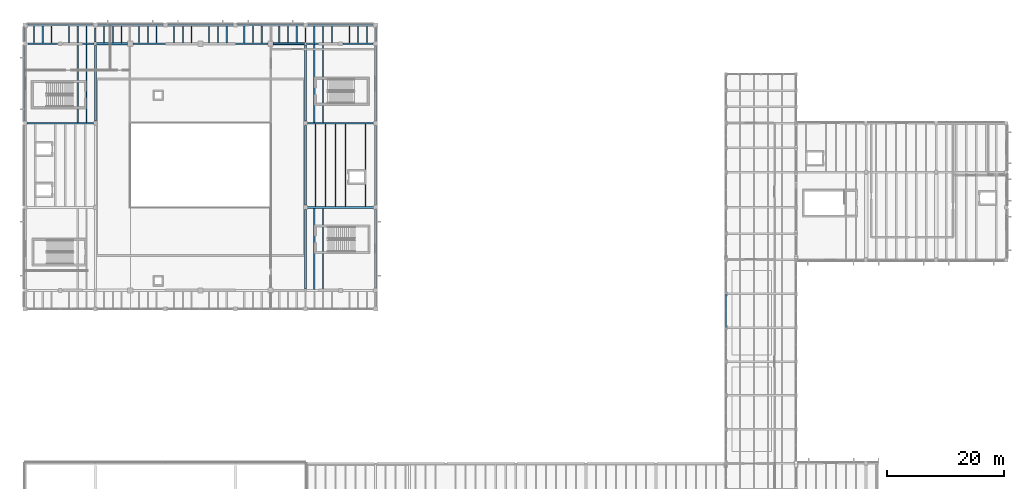
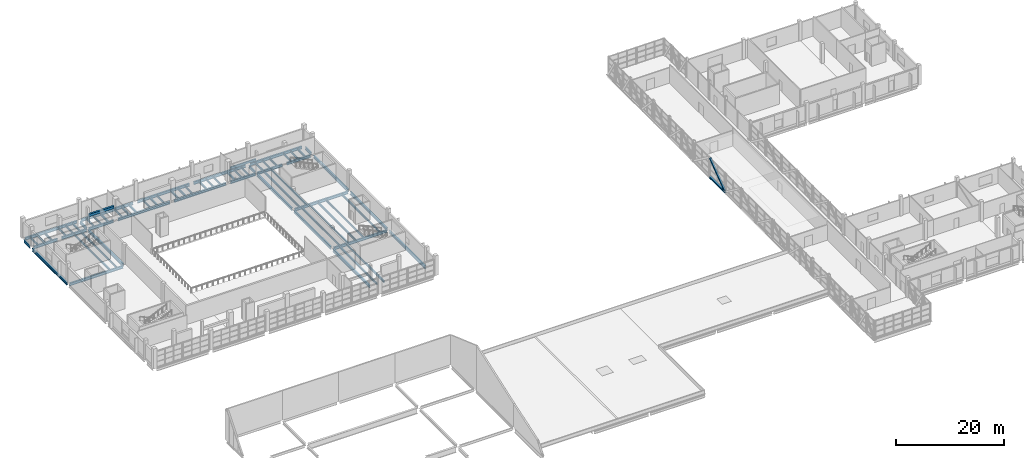
# One storey, part 23 of 63: 72 beams, 1 member.
"""IFC4 building model written with IfcOpenShell, lengths in metres."""

from ifc_helpers import new_model, si_unit, direction, frame, origin, origin_2d, place, context, subcontext, project, spatial, rectangle, hollow_rectangle, i_section, extrude, material, material_profile, profile_set, type_object, element, save


model = new_model("IFC4")

# Units and contexts
model_context = context("Model", 3, precision=1e-05, world=origin(), true_north=direction((0.0, 1.0)))
body_context = subcontext(model_context, "Body", "Model", "MODEL_VIEW")
ifc_project = project(units=[si_unit("LENGTHUNIT", "METRE"), si_unit("AREAUNIT", "SQUARE_METRE"), si_unit("VOLUMEUNIT", "CUBIC_METRE"), si_unit("PLANEANGLEUNIT", "RADIAN"), si_unit("MASSUNIT", "GRAM", prefix="KILO")], contexts=[model_context])

# Site, building, storey
site_placement = place(None, origin())
site = spatial("IfcSite", under=ifc_project, at=site_placement, CompositionType="ELEMENT")
building_placement = place(site_placement, origin())
building = spatial("IfcBuilding", under=site, at=building_placement, Name="Kelmvaro Bay Concert Hall", CompositionType="ELEMENT")
storey_placement = place(building_placement, frame((0.0, 0.0, 13.800048828125)))
storey = spatial("IfcBuildingStorey", under=building, at=storey_placement, Name="L03", CompositionType="ELEMENT", Elevation=13.800048828125)

# Beams
ifc_material_1 = material(Name="Steel ASTM A992 Grade 50", Category="steel")
ifc_material_profile_1 = material_profile(ifc_material_1, i_section(OverallWidth=0.19189453125, OverallDepth=0.4619140625, WebThickness=0.010498046875, FlangeThickness=0.017578125, at=origin_2d()), Name="W18X60")
ifc_profile_set_1 = profile_set([ifc_material_profile_1], Name="Steel ASTM A992 Grade 50")
beam_type_1 = type_object("IfcBeamType", Name="Acoustic Box Floor Joist W18x60", PredefinedType="JOIST", material=ifc_profile_set_1)
for number, where, z_axis, x_axis, name in (
    (1, (49.5, 68.741943359375, -0.531005859375), (0.0, 1.0, 0.0), (-1.0, 0.0, 0.0), "L03 Floor Joist JST-L03-1623"),
    (2, (51.0, 68.741943359375, -0.531005859375), (0.0, 1.0, 0.0), (-1.0, 0.0, 0.0), "L03 Floor Joist JST-L03-1624"),
):
    element("IfcBeam", number, at=place(storey_placement, frame(where, z_axis=z_axis, x_axis=x_axis)), inside=storey, type_object=beam_type_1, Name=name, PredefinedType="JOIST", context=body_context, shape_type="SweptSolid", body=[
        extrude(i_section(OverallWidth=0.19189453125, OverallDepth=0.4619140625, WebThickness=0.010498046875, FlangeThickness=0.017578125, at=origin_2d()), origin(), (0.0, 0.0, 1.0), 13.89599609375),
    ])
for number, where, z_axis, x_axis, name in (
    (3, (49.71435546875, 82.9619140625, -0.531005859375), (0.0, 1.0, 0.0), (-1.0, 0.0, 0.0), "L03 Floor Joist JST-L03-1643"),
    (4, (51.4287109375, 82.9619140625, -0.531005859375), (0.0, 1.0, 0.0), (-1.0, 0.0, 0.0), "L03 Floor Joist JST-L03-1644"),
    (5, (53.142822265625, 82.9619140625, -0.531005859375), (0.0, 1.0, 0.0), (-1.0, 0.0, 0.0), "L03 Floor Joist JST-L03-1645"),
    (6, (54.857177734375, 82.9619140625, -0.531005859375), (0.0, 1.0, 0.0), (-1.0, 0.0, 0.0), "L03 Floor Joist JST-L03-1646"),
    (7, (58.28564453125, 82.9619140625, -0.531005859375), (0.0, 1.0, 0.0), (-1.0, 0.0, 0.0), "L03 Floor Joist JST-L03-1647"),
):
    element("IfcBeam", number, at=place(storey_placement, frame(where, z_axis=z_axis, x_axis=x_axis)), inside=storey, type_object=beam_type_1, Name=name, PredefinedType="JOIST", context=body_context, shape_type="SweptSolid", body=[
        extrude(i_section(OverallWidth=0.19189453125, OverallDepth=0.4619140625, WebThickness=0.010498046875, FlangeThickness=0.017578125, at=origin_2d()), origin(), (0.0, 0.0, 1.0), 14.076171875),
    ])
for number, where, z_axis, x_axis, name in (
    (8, (9.0, 97.362060546875, -0.531005859375), (0.0, 1.0, 0.0), (-1.0, 0.0, 0.0), "L03 Floor Joist JST-L03-1665"),
    (9, (10.5, 97.362060546875, -0.531005859375), (0.0, 1.0, 0.0), (-1.0, 0.0, 0.0), "L03 Floor Joist JST-L03-1666"),
    (10, (49.5, 97.362060546875, -0.531005859375), (0.0, 1.0, 0.0), (-1.0, 0.0, 0.0), "L03 Floor Joist JST-L03-1667"),
    (11, (51.0, 97.362060546875, -0.531005859375), (0.0, 1.0, 0.0), (-1.0, 0.0, 0.0), "L03 Floor Joist JST-L03-1668"),
):
    element("IfcBeam", number, at=place(storey_placement, frame(where, z_axis=z_axis, x_axis=x_axis)), inside=storey, type_object=beam_type_1, Name=name, PredefinedType="JOIST", context=body_context, shape_type="SweptSolid", body=[
        extrude(i_section(OverallWidth=0.19189453125, OverallDepth=0.4619140625, WebThickness=0.010498046875, FlangeThickness=0.017578125, at=origin_2d()), origin(), (0.0, 0.0, 1.0), 13.2958984375),
    ])
ifc_material_2 = material(Name="Concrete C40/50", Category="concrete")
ifc_material_profile_2 = material_profile(ifc_material_2, rectangle(XDim=0.39990234375, YDim=0.550048828125, at=origin_2d()), Name="RC-LNT-400X550")
ifc_profile_set_2 = profile_set([ifc_material_profile_2], Name="Concrete C40/50")
beam_type_2 = type_object("IfcBeamType", Name="Acoustic Sound Lock Lintel RC400x550", PredefinedType="LINTEL", material=ifc_profile_set_2)
beam_1_placement = place(storey_placement, frame((12.14990234375, 110.820068359375, 2.574951171875), z_axis=(1.0, 0.0, 0.0), x_axis=(0.0, 1.0, 0.0)))
element("IfcBeam", 12, at=beam_1_placement, inside=storey, type_object=beam_type_2, Name="L03 Acoustic Portal Lintel N1", PredefinedType="LINTEL", context=body_context, shape_type="SweptSolid", body=[
    extrude(rectangle(XDim=0.39990234375, YDim=0.550048828125, at=origin_2d()), origin(), (0.0, 0.0, 1.0), 5.400146484375),
])
ifc_material_3 = material(Name="Concrete C40/50", Category="concrete")
ifc_material_profile_3 = material_profile(ifc_material_3, rectangle(XDim=0.300048828125, YDim=0.39990234375, at=origin_2d()), Name="RC-LNT-300X400")
ifc_profile_set_3 = profile_set([ifc_material_profile_3], Name="Concrete C40/50")
beam_type_3 = type_object("IfcBeamType", Name="Backstage Doorway Lintel RC300x400", PredefinedType="LINTEL", material=ifc_profile_set_3)
beam_2_placement = place(storey_placement, frame((42.449951171875, 110.820068359375, 2.64990234375), z_axis=(1.0, 0.0, 0.0), x_axis=(0.0, 1.0, 0.0)))
element("IfcBeam", 13, at=beam_2_placement, inside=storey, type_object=beam_type_3, Name="L03 Acoustic Portal Lintel N2", PredefinedType="LINTEL", context=body_context, shape_type="SweptSolid", body=[
    extrude(rectangle(XDim=0.300048828125, YDim=0.39990234375, at=origin_2d()), origin(), (0.0, 0.0, 1.0), 5.400146484375),
])

# Member
ifc_material_4 = material(Name="Steel ASTM A500 Grade C", Category="steel")
ifc_material_profile_4 = material_profile(ifc_material_4, hollow_rectangle(XDim=0.35009765625, YDim=0.35009765625, WallThickness=0.01611328125, at=origin_2d()), Name="HSS350X350X16")
ifc_profile_set_4 = profile_set([ifc_material_profile_4], Name="Steel ASTM A500 Grade C")
member_type = type_object("IfcMemberType", Name="Bridge Standard Web Diagonal HSS350x350x16", PredefinedType="BRACE", material=ifc_profile_set_4)
member_placement = place(storey_placement, frame((120.0, 62.359130859375, -0.295654296875), z_axis=(0.0, 0.802031459951, 0.597281790488), x_axis=(-1.0, 0.0, 0.0)))
element("IfcMember", 14, at=member_placement, inside=storey, type_object=member_type, Name="Bridge Truss W Web Diagonal 13", PredefinedType="BRACE", context=body_context, shape_type="SweptSolid", body=[
    extrude(hollow_rectangle(XDim=0.35009765625, YDim=0.35009765625, WallThickness=0.01611328125, at=origin_2d()), origin(), (0.0, 0.0, 1.0), 6.834716796875),
])

# Beams
ifc_material_5 = material(Name="Steel ASTM A992 Grade 50", Category="steel")
ifc_material_profile_5 = material_profile(ifc_material_5, i_section(OverallWidth=0.39892578125, OverallDepth=0.385986328125, WebThickness=0.02099609375, FlangeThickness=0.033203125, at=origin_2d()), Name="W14X176")
ifc_profile_set_5 = profile_set([ifc_material_profile_5], Name="Steel ASTM A992 Grade 50")
beam_type_4 = type_object("IfcBeamType", Name="Bridge Truss Bottom Chord W14x176", PredefinedType="BEAM", material=ifc_profile_set_5)
beam_3_placement = place(storey_placement, frame((120.0, 62.199951171875, -0.52294921875), z_axis=(0.0, 1.0, 0.0), x_axis=(-1.0, 0.0, 0.0)))
element("IfcBeam", 15, at=beam_3_placement, inside=storey, type_object=beam_type_4, Name="Bridge Truss W Bottom Chord 13", PredefinedType="BEAM", context=body_context, shape_type="SweptSolid", body=[
    extrude(i_section(OverallWidth=0.39892578125, OverallDepth=0.385986328125, WebThickness=0.02099609375, FlangeThickness=0.033203125, at=origin_2d()), origin(), (0.0, 0.0, 1.0), 5.800048828125),
])
ifc_material_6 = material(Name="Steel ASTM A992 Grade 50", Category="steel")
ifc_material_profile_6 = material_profile(ifc_material_6, i_section(OverallWidth=0.323974609375, OverallDepth=0.611083984375, WebThickness=0.0126953125, FlangeThickness=0.01904296875, at=origin_2d()), Name="W24X104")
ifc_profile_set_6 = profile_set([ifc_material_profile_6], Name="Steel ASTM A992 Grade 50")
beam_type_5 = type_object("IfcBeamType", Name="Foyer Frame Girder W24x104", PredefinedType="BEAM", material=ifc_profile_set_6)
for number, where, z_axis, x_axis, name in (
    (16, (48.27490234375, 82.800048828125, -0.60546875), (1.0, 0.0, 0.0), (0.0, 1.0, 0.0), "L03 Girder BM-L03-EW-1387"),
    (17, (0.27490234375, 97.199951171875, -0.60546875), (1.0, 0.0, 0.0), (0.0, 1.0, 0.0), "L03 Girder BM-L03-EW-1391"),
    (18, (48.27490234375, 97.199951171875, -0.60546875), (1.0, 0.0, 0.0), (0.0, 1.0, 0.0), "L03 Girder BM-L03-EW-1392"),
):
    element("IfcBeam", number, at=place(storey_placement, frame(where, z_axis=z_axis, x_axis=x_axis)), inside=storey, type_object=beam_type_5, Name=name, PredefinedType="BEAM", context=body_context, shape_type="SweptSolid", body=[
        extrude(i_section(OverallWidth=0.323974609375, OverallDepth=0.611083984375, WebThickness=0.0126953125, FlangeThickness=0.01904296875, at=origin_2d()), origin(), (0.0, 0.0, 1.0), 11.4501953125),
    ])
beam_4_placement = place(storey_placement, frame((0.449951171875, 110.820068359375, -0.60546875), z_axis=(1.0, 0.0, 0.0), x_axis=(0.0, 1.0, 0.0)))
element("IfcBeam", 19, at=beam_4_placement, inside=storey, type_object=beam_type_5, Name="L03 Girder BM-L03-EW-1396", PredefinedType="BEAM", context=body_context, shape_type="SweptSolid", body=[
    extrude(i_section(OverallWidth=0.323974609375, OverallDepth=0.611083984375, WebThickness=0.0126953125, FlangeThickness=0.01904296875, at=origin_2d()), origin(), (0.0, 0.0, 1.0), 5.10009765625),
])
for number, where, z_axis, x_axis, name in (
    (20, (6.449951171875, 110.820068359375, -0.60546875), (1.0, 0.0, 0.0), (0.0, 1.0, 0.0), "L03 Girder BM-L03-EW-1397"),
    (21, (12.199951171875, 110.820068359375, -0.60546875), (1.0, 0.0, 0.0), (0.0, 1.0, 0.0), "L03 Girder BM-L03-EW-1398"),
):
    element("IfcBeam", number, at=place(storey_placement, frame(where, z_axis=z_axis, x_axis=x_axis)), inside=storey, type_object=beam_type_5, Name=name, PredefinedType="BEAM", context=body_context, shape_type="SweptSolid", body=[
        extrude(i_section(OverallWidth=0.323974609375, OverallDepth=0.611083984375, WebThickness=0.0126953125, FlangeThickness=0.01904296875, at=origin_2d()), origin(), (0.0, 0.0, 1.0), 5.35009765625),
    ])
for number, where, z_axis, x_axis, name in (
    (22, (18.449951171875, 110.820068359375, -0.60546875), (1.0, 0.0, 0.0), (0.0, 1.0, 0.0), "L03 Girder BM-L03-EW-1399"),
    (23, (30.449951171875, 110.820068359375, -0.60546875), (1.0, 0.0, 0.0), (0.0, 1.0, 0.0), "L03 Girder BM-L03-EW-1400"),
):
    element("IfcBeam", number, at=place(storey_placement, frame(where, z_axis=z_axis, x_axis=x_axis)), inside=storey, type_object=beam_type_5, Name=name, PredefinedType="BEAM", context=body_context, shape_type="SweptSolid", body=[
        extrude(i_section(OverallWidth=0.323974609375, OverallDepth=0.611083984375, WebThickness=0.0126953125, FlangeThickness=0.01904296875, at=origin_2d()), origin(), (0.0, 0.0, 1.0), 11.10009765625),
    ])
for number, where, z_axis, x_axis, name in (
    (24, (42.449951171875, 110.820068359375, -0.60546875), (1.0, 0.0, 0.0), (0.0, 1.0, 0.0), "L03 Girder BM-L03-EW-1401"),
    (25, (48.175048828125, 110.820068359375, -0.60546875), (1.0, 0.0, 0.0), (0.0, 1.0, 0.0), "L03 Girder BM-L03-EW-1402"),
):
    element("IfcBeam", number, at=place(storey_placement, frame(where, z_axis=z_axis, x_axis=x_axis)), inside=storey, type_object=beam_type_5, Name=name, PredefinedType="BEAM", context=body_context, shape_type="SweptSolid", body=[
        extrude(i_section(OverallWidth=0.323974609375, OverallDepth=0.611083984375, WebThickness=0.0126953125, FlangeThickness=0.01904296875, at=origin_2d()), origin(), (0.0, 0.0, 1.0), 5.375),
    ])
beam_5_placement = place(storey_placement, frame((54.449951171875, 110.820068359375, -0.60546875), z_axis=(1.0, 0.0, 0.0), x_axis=(0.0, 1.0, 0.0)))
element("IfcBeam", 26, at=beam_5_placement, inside=storey, type_object=beam_type_5, Name="L03 Girder BM-L03-EW-1403", PredefinedType="BEAM", context=body_context, shape_type="SweptSolid", body=[
    extrude(i_section(OverallWidth=0.323974609375, OverallDepth=0.611083984375, WebThickness=0.0126953125, FlangeThickness=0.01904296875, at=origin_2d()), origin(), (0.0, 0.0, 1.0), 5.10009765625),
])
beam_6_placement = place(storey_placement, frame((0.47509765625, 114.0, -0.60546875), z_axis=(1.0, 0.0, 0.0), x_axis=(0.0, 1.0, 0.0)))
element("IfcBeam", 27, at=beam_6_placement, inside=storey, type_object=beam_type_5, Name="L03 Girder BM-L03-EW-1404", PredefinedType="BEAM", context=body_context, shape_type="SweptSolid", body=[
    extrude(i_section(OverallWidth=0.323974609375, OverallDepth=0.611083984375, WebThickness=0.0126953125, FlangeThickness=0.01904296875, at=origin_2d()), origin(), (0.0, 0.0, 1.0), 11.074951171875),
])
for number, where, z_axis, x_axis, name in (
    (28, (12.449951171875, 114.0, -0.60546875), (1.0, 0.0, 0.0), (0.0, 1.0, 0.0), "L03 Girder BM-L03-EW-1405"),
    (29, (24.449951171875, 114.0, -0.60546875), (1.0, 0.0, 0.0), (0.0, 1.0, 0.0), "L03 Girder BM-L03-EW-1406"),
    (30, (36.449951171875, 114.0, -0.60546875), (1.0, 0.0, 0.0), (0.0, 1.0, 0.0), "L03 Girder BM-L03-EW-1407"),
):
    element("IfcBeam", number, at=place(storey_placement, frame(where, z_axis=z_axis, x_axis=x_axis)), inside=storey, type_object=beam_type_5, Name=name, PredefinedType="BEAM", context=body_context, shape_type="SweptSolid", body=[
        extrude(i_section(OverallWidth=0.323974609375, OverallDepth=0.611083984375, WebThickness=0.0126953125, FlangeThickness=0.01904296875, at=origin_2d()), origin(), (0.0, 0.0, 1.0), 11.10009765625),
    ])
beam_7_placement = place(storey_placement, frame((48.449951171875, 114.0, -0.60546875), z_axis=(1.0, 0.0, 0.0), x_axis=(0.0, 1.0, 0.0)))
element("IfcBeam", 31, at=beam_7_placement, inside=storey, type_object=beam_type_5, Name="L03 Girder BM-L03-EW-1408", PredefinedType="BEAM", context=body_context, shape_type="SweptSolid", body=[
    extrude(i_section(OverallWidth=0.323974609375, OverallDepth=0.611083984375, WebThickness=0.0126953125, FlangeThickness=0.01904296875, at=origin_2d()), origin(), (0.0, 0.0, 1.0), 11.074951171875),
])
beam_8_placement = place(storey_placement, frame((0.0, 97.574951171875, -0.60546875), z_axis=(0.0, 1.0, 0.0), x_axis=(-1.0, 0.0, 0.0)))
element("IfcBeam", 32, at=beam_8_placement, inside=storey, type_object=beam_type_5, Name="L03 Girder BM-L03-NS-1415", PredefinedType="BEAM", context=body_context, shape_type="SweptSolid", body=[
    extrude(i_section(OverallWidth=0.323974609375, OverallDepth=0.611083984375, WebThickness=0.0126953125, FlangeThickness=0.01904296875, at=origin_2d()), origin(), (0.0, 0.0, 1.0), 12.795166015625),
])
beam_9_placement = place(storey_placement, frame((12.0, 97.574951171875, -0.60546875), z_axis=(0.0, 1.0, 0.0), x_axis=(-1.0, 0.0, 0.0)))
element("IfcBeam", 33, at=beam_9_placement, inside=storey, type_object=beam_type_5, Name="L03 Girder BM-L03-NS-1423", PredefinedType="BEAM", context=body_context, shape_type="SweptSolid", body=[
    extrude(i_section(OverallWidth=0.323974609375, OverallDepth=0.611083984375, WebThickness=0.0126953125, FlangeThickness=0.01904296875, at=origin_2d()), origin(), (0.0, 0.0, 1.0), 12.969970703125),
])
beam_10_placement = place(storey_placement, frame((48.0, 68.830078125, -0.60546875), z_axis=(0.0, 1.0, 0.0), x_axis=(-1.0, 0.0, 0.0)))
element("IfcBeam", 34, at=beam_10_placement, inside=storey, type_object=beam_type_5, Name="L03 Girder BM-L03-NS-1432", PredefinedType="BEAM", context=body_context, shape_type="SweptSolid", body=[
    extrude(i_section(OverallWidth=0.323974609375, OverallDepth=0.611083984375, WebThickness=0.0126953125, FlangeThickness=0.01904296875, at=origin_2d()), origin(), (0.0, 0.0, 1.0), 13.594970703125),
])
beam_11_placement = place(storey_placement, frame((48.0, 83.175048828125, -0.60546875), z_axis=(0.0, 1.0, 0.0), x_axis=(-1.0, 0.0, 0.0)))
element("IfcBeam", 35, at=beam_11_placement, inside=storey, type_object=beam_type_5, Name="L03 Girder BM-L03-NS-1433", PredefinedType="BEAM", context=body_context, shape_type="SweptSolid", body=[
    extrude(i_section(OverallWidth=0.323974609375, OverallDepth=0.611083984375, WebThickness=0.0126953125, FlangeThickness=0.01904296875, at=origin_2d()), origin(), (0.0, 0.0, 1.0), 13.64990234375),
])
beam_12_placement = place(storey_placement, frame((48.0, 97.574951171875, -0.60546875), z_axis=(0.0, 1.0, 0.0), x_axis=(-1.0, 0.0, 0.0)))
element("IfcBeam", 36, at=beam_12_placement, inside=storey, type_object=beam_type_5, Name="L03 Girder BM-L03-NS-1434", PredefinedType="BEAM", context=body_context, shape_type="SweptSolid", body=[
    extrude(i_section(OverallWidth=0.323974609375, OverallDepth=0.611083984375, WebThickness=0.0126953125, FlangeThickness=0.01904296875, at=origin_2d()), origin(), (0.0, 0.0, 1.0), 12.9951171875),
])
beam_13_placement = place(storey_placement, frame((60.0, 69.030029296875, -0.60546875), z_axis=(0.0, 1.0, 0.0), x_axis=(-1.0, 0.0, 0.0)))
element("IfcBeam", 37, at=beam_13_placement, inside=storey, type_object=beam_type_5, Name="L03 Girder BM-L03-NS-1440", PredefinedType="BEAM", context=body_context, shape_type="SweptSolid", body=[
    extrude(i_section(OverallWidth=0.323974609375, OverallDepth=0.611083984375, WebThickness=0.0126953125, FlangeThickness=0.01904296875, at=origin_2d()), origin(), (0.0, 0.0, 1.0), 13.39501953125),
])
beam_14_placement = place(storey_placement, frame((60.0, 83.175048828125, -0.60546875), z_axis=(0.0, 1.0, 0.0), x_axis=(-1.0, 0.0, 0.0)))
element("IfcBeam", 38, at=beam_14_placement, inside=storey, type_object=beam_type_5, Name="L03 Girder BM-L03-NS-1441", PredefinedType="BEAM", context=body_context, shape_type="SweptSolid", body=[
    extrude(i_section(OverallWidth=0.323974609375, OverallDepth=0.611083984375, WebThickness=0.0126953125, FlangeThickness=0.01904296875, at=origin_2d()), origin(), (0.0, 0.0, 1.0), 13.64990234375),
])
beam_15_placement = place(storey_placement, frame((60.0, 97.574951171875, -0.60546875), z_axis=(0.0, 1.0, 0.0), x_axis=(-1.0, 0.0, 0.0)))
element("IfcBeam", 39, at=beam_15_placement, inside=storey, type_object=beam_type_5, Name="L03 Girder BM-L03-NS-1442", PredefinedType="BEAM", context=body_context, shape_type="SweptSolid", body=[
    extrude(i_section(OverallWidth=0.323974609375, OverallDepth=0.611083984375, WebThickness=0.0126953125, FlangeThickness=0.01904296875, at=origin_2d()), origin(), (0.0, 0.0, 1.0), 12.795166015625),
])
ifc_material_7 = material(Name="Steel ASTM A992 Grade 50", Category="steel")
ifc_material_profile_7 = material_profile(ifc_material_7, i_section(OverallWidth=0.19091796875, OverallDepth=0.45703125, WebThickness=0.009033203125, FlangeThickness=0.014404296875, at=origin_2d()), Name="W18X50")
ifc_profile_set_7 = profile_set([ifc_material_profile_7], Name="Steel ASTM A992 Grade 50")
beam_type_6 = type_object("IfcBeamType", Name="Standard Composite Floor Joist W18x50", PredefinedType="JOIST", material=ifc_profile_set_7)
for number, where, z_axis, x_axis, name in (
    (40, (1.5, 110.98193359375, -0.528564453125), (0.0, 1.0, 0.0), (-1.0, 0.0, 0.0), "L03 Floor Joist JST-L03-1669"),
    (41, (3.0, 110.98193359375, -0.528564453125), (0.0, 1.0, 0.0), (-1.0, 0.0, 0.0), "L03 Floor Joist JST-L03-1670"),
    (42, (4.5, 110.98193359375, -0.528564453125), (0.0, 1.0, 0.0), (-1.0, 0.0, 0.0), "L03 Floor Joist JST-L03-1671"),
    (43, (7.5, 110.98193359375, -0.528564453125), (0.0, 1.0, 0.0), (-1.0, 0.0, 0.0), "L03 Floor Joist JST-L03-1672"),
    (44, (9.0, 110.98193359375, -0.528564453125), (0.0, 1.0, 0.0), (-1.0, 0.0, 0.0), "L03 Floor Joist JST-L03-1673"),
    (45, (10.5, 110.98193359375, -0.528564453125), (0.0, 1.0, 0.0), (-1.0, 0.0, 0.0), "L03 Floor Joist JST-L03-1674"),
    (46, (13.5, 110.98193359375, -0.528564453125), (0.0, 1.0, 0.0), (-1.0, 0.0, 0.0), "L03 Floor Joist JST-L03-1675"),
    (47, (15.0, 110.98193359375, -0.528564453125), (0.0, 1.0, 0.0), (-1.0, 0.0, 0.0), "L03 Floor Joist JST-L03-1676"),
    (48, (16.5, 110.98193359375, -0.528564453125), (0.0, 1.0, 0.0), (-1.0, 0.0, 0.0), "L03 Floor Joist JST-L03-1677"),
    (49, (19.5, 110.98193359375, -0.528564453125), (0.0, 1.0, 0.0), (-1.0, 0.0, 0.0), "L03 Floor Joist JST-L03-1678"),
    (50, (21.0, 110.98193359375, -0.528564453125), (0.0, 1.0, 0.0), (-1.0, 0.0, 0.0), "L03 Floor Joist JST-L03-1679"),
    (51, (22.5, 110.98193359375, -0.528564453125), (0.0, 1.0, 0.0), (-1.0, 0.0, 0.0), "L03 Floor Joist JST-L03-1680"),
    (52, (25.5, 110.98193359375, -0.528564453125), (0.0, 1.0, 0.0), (-1.0, 0.0, 0.0), "L03 Floor Joist JST-L03-1681"),
    (53, (27.0, 110.98193359375, -0.528564453125), (0.0, 1.0, 0.0), (-1.0, 0.0, 0.0), "L03 Floor Joist JST-L03-1682"),
    (54, (28.5, 110.98193359375, -0.528564453125), (0.0, 1.0, 0.0), (-1.0, 0.0, 0.0), "L03 Floor Joist JST-L03-1683"),
    (55, (31.5, 110.98193359375, -0.528564453125), (0.0, 1.0, 0.0), (-1.0, 0.0, 0.0), "L03 Floor Joist JST-L03-1684"),
    (56, (33.0, 110.98193359375, -0.528564453125), (0.0, 1.0, 0.0), (-1.0, 0.0, 0.0), "L03 Floor Joist JST-L03-1685"),
    (57, (34.5, 110.98193359375, -0.528564453125), (0.0, 1.0, 0.0), (-1.0, 0.0, 0.0), "L03 Floor Joist JST-L03-1686"),
    (58, (37.5, 110.98193359375, -0.528564453125), (0.0, 1.0, 0.0), (-1.0, 0.0, 0.0), "L03 Floor Joist JST-L03-1687"),
    (59, (39.0, 110.98193359375, -0.528564453125), (0.0, 1.0, 0.0), (-1.0, 0.0, 0.0), "L03 Floor Joist JST-L03-1688"),
    (60, (40.5, 110.98193359375, -0.528564453125), (0.0, 1.0, 0.0), (-1.0, 0.0, 0.0), "L03 Floor Joist JST-L03-1689"),
    (61, (43.5, 110.98193359375, -0.528564453125), (0.0, 1.0, 0.0), (-1.0, 0.0, 0.0), "L03 Floor Joist JST-L03-1690"),
    (62, (45.0, 110.98193359375, -0.528564453125), (0.0, 1.0, 0.0), (-1.0, 0.0, 0.0), "L03 Floor Joist JST-L03-1691"),
    (63, (46.5, 110.98193359375, -0.528564453125), (0.0, 1.0, 0.0), (-1.0, 0.0, 0.0), "L03 Floor Joist JST-L03-1692"),
    (64, (49.5, 110.98193359375, -0.528564453125), (0.0, 1.0, 0.0), (-1.0, 0.0, 0.0), "L03 Floor Joist JST-L03-1693"),
    (65, (51.0, 110.98193359375, -0.528564453125), (0.0, 1.0, 0.0), (-1.0, 0.0, 0.0), "L03 Floor Joist JST-L03-1694"),
    (66, (52.5, 110.98193359375, -0.528564453125), (0.0, 1.0, 0.0), (-1.0, 0.0, 0.0), "L03 Floor Joist JST-L03-1695"),
    (67, (55.5, 110.98193359375, -0.528564453125), (0.0, 1.0, 0.0), (-1.0, 0.0, 0.0), "L03 Floor Joist JST-L03-1696"),
    (68, (57.0, 110.98193359375, -0.528564453125), (0.0, 1.0, 0.0), (-1.0, 0.0, 0.0), "L03 Floor Joist JST-L03-1697"),
    (69, (58.5, 110.98193359375, -0.528564453125), (0.0, 1.0, 0.0), (-1.0, 0.0, 0.0), "L03 Floor Joist JST-L03-1698"),
):
    element("IfcBeam", number, at=place(storey_placement, frame(where, z_axis=z_axis, x_axis=x_axis)), inside=storey, type_object=beam_type_6, Name=name, PredefinedType="JOIST", context=body_context, shape_type="SweptSolid", body=[
        extrude(i_section(OverallWidth=0.19091796875, OverallDepth=0.45703125, WebThickness=0.009033203125, FlangeThickness=0.014404296875, at=origin_2d()), origin(), (0.0, 0.0, 1.0), 2.85595703125),
    ])
ifc_material_8 = material(Name="Steel ASTM A992 Grade 50", Category="steel")
ifc_material_profile_8 = material_profile(ifc_material_8, i_section(OverallWidth=0.22900390625, OverallDepth=0.612060546875, WebThickness=0.011962890625, FlangeThickness=0.01953125, at=origin_2d()), Name="W24X84")
ifc_profile_set_8 = profile_set([ifc_material_profile_8], Name="Steel ASTM A992 Grade 50")
beam_type_7 = type_object("IfcBeamType", Name="Terrace Edge Girder W24x84", PredefinedType="BEAM", material=ifc_profile_set_8)
beam_16_placement = place(storey_placement, frame((0.0, 111.27001953125, -0.60595703125), z_axis=(0.0, 1.0, 0.0), x_axis=(-1.0, 0.0, 0.0)))
element("IfcBeam", 70, at=beam_16_placement, inside=storey, type_object=beam_type_7, Name="L03 Girder BM-L03-NS-1416", PredefinedType="BEAM", context=body_context, shape_type="SweptSolid", body=[
    extrude(i_section(OverallWidth=0.22900390625, OverallDepth=0.612060546875, WebThickness=0.011962890625, FlangeThickness=0.01953125, at=origin_2d()), origin(), (0.0, 0.0, 1.0), 2.2548828125),
])
beam_17_placement = place(storey_placement, frame((12.0, 111.094970703125, -0.60595703125), z_axis=(0.0, 1.0, 0.0), x_axis=(-1.0, 0.0, 0.0)))
element("IfcBeam", 71, at=beam_17_placement, inside=storey, type_object=beam_type_7, Name="L03 Girder BM-L03-NS-1424", PredefinedType="BEAM", context=body_context, shape_type="SweptSolid", body=[
    extrude(i_section(OverallWidth=0.22900390625, OverallDepth=0.612060546875, WebThickness=0.011962890625, FlangeThickness=0.01953125, at=origin_2d()), origin(), (0.0, 0.0, 1.0), 2.455078125),
])
beam_18_placement = place(storey_placement, frame((48.0, 111.070068359375, -0.60595703125), z_axis=(0.0, 1.0, 0.0), x_axis=(-1.0, 0.0, 0.0)))
element("IfcBeam", 72, at=beam_18_placement, inside=storey, type_object=beam_type_7, Name="L03 Girder BM-L03-NS-1435", PredefinedType="BEAM", context=body_context, shape_type="SweptSolid", body=[
    extrude(i_section(OverallWidth=0.22900390625, OverallDepth=0.612060546875, WebThickness=0.011962890625, FlangeThickness=0.01953125, at=origin_2d()), origin(), (0.0, 0.0, 1.0), 2.47998046875),
])
beam_19_placement = place(storey_placement, frame((60.0, 111.27001953125, -0.60595703125), z_axis=(0.0, 1.0, 0.0), x_axis=(-1.0, 0.0, 0.0)))
element("IfcBeam", 73, at=beam_19_placement, inside=storey, type_object=beam_type_7, Name="L03 Girder BM-L03-NS-1443", PredefinedType="BEAM", context=body_context, shape_type="SweptSolid", body=[
    extrude(i_section(OverallWidth=0.22900390625, OverallDepth=0.612060546875, WebThickness=0.011962890625, FlangeThickness=0.01953125, at=origin_2d()), origin(), (0.0, 0.0, 1.0), 2.2548828125),
])

save(model, "model.ifc")
